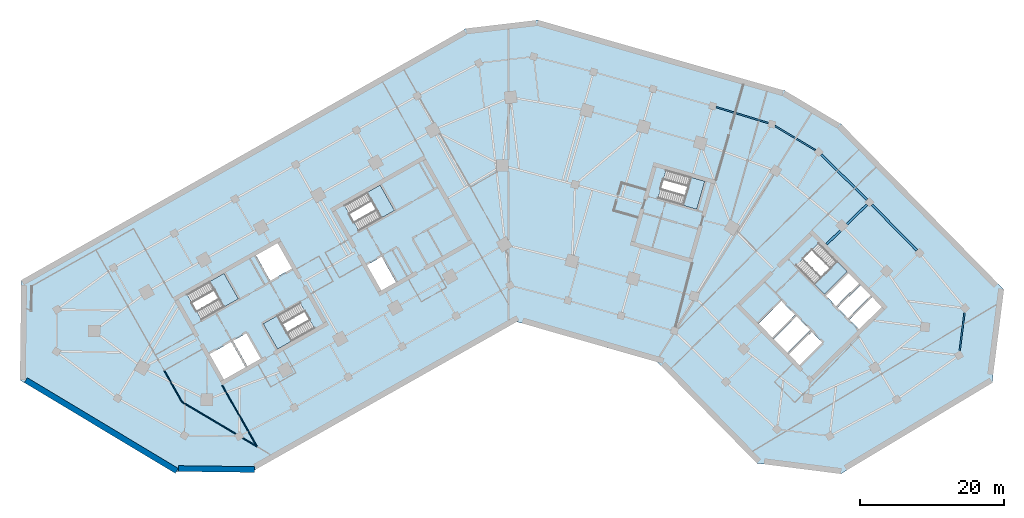
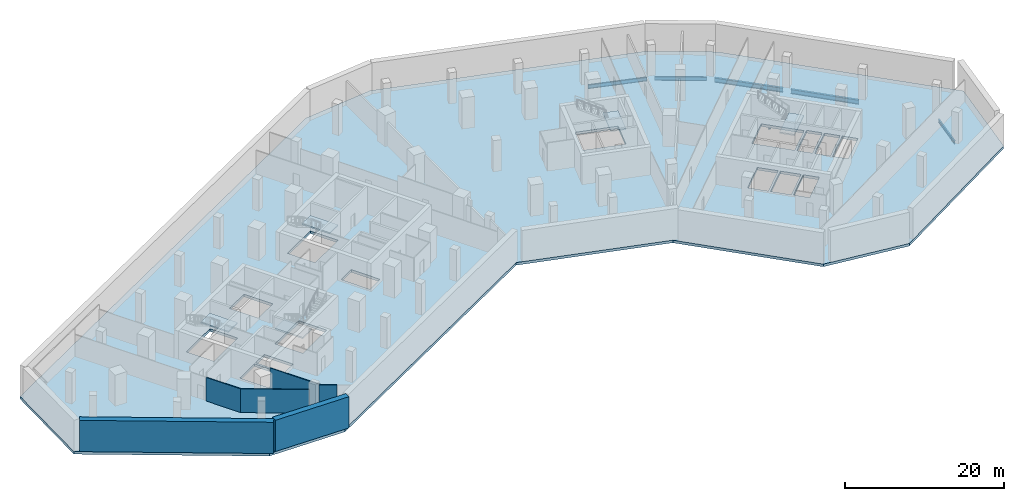
# One storey, part 4 of 13: 6 beams, 6 slabs, 6 walls, 5 elements without a shape of their own.
"""IFC4 building model written with IfcOpenShell, lengths in metres."""

from ifc_helpers import new_model, si_unit, direction, frame, frame_2d, origin, origin_2d, place, context, subcontext, project, spatial, polyline, rectangle, i_section, outline, extrude, material, layer, layer_set, material_profile, profile_set, type_object, element, aggregate, save


model = new_model("IFC4")

# Units and contexts
model_context = context("Model", 3, precision=1e-05, world=origin(), true_north=direction((0.0, 1.0)))
body_context = subcontext(model_context, "Body", "Model", "MODEL_VIEW")
ifc_project = project(units=[si_unit("LENGTHUNIT", "METRE"), si_unit("AREAUNIT", "SQUARE_METRE"), si_unit("VOLUMEUNIT", "CUBIC_METRE"), si_unit("PLANEANGLEUNIT", "RADIAN"), si_unit("MASSUNIT", "GRAM", prefix="KILO")], contexts=[model_context])

# Site, building, storey
site_placement = place(None, origin())
site = spatial("IfcSite", under=ifc_project, at=site_placement, CompositionType="ELEMENT")
building_placement = place(site_placement, origin())
building = spatial("IfcBuilding", under=site, at=building_placement, Name="Binnacle Exchange Tower", CompositionType="ELEMENT")
storey_placement = place(building_placement, frame((0.0, 0.0, -4.800048828125)))
storey = spatial("IfcBuildingStorey", under=building, at=storey_placement, Name="B1", CompositionType="ELEMENT", Elevation=-4.800048828125)

# Beams
ifc_material_1 = material(Name="Steel S355 (SHN355)", Category="steel")
ifc_material_profile_1 = material_profile(ifc_material_1, i_section(OverallWidth=0.199951171875, OverallDepth=0.5, WebThickness=0.010009765625, FlangeThickness=0.01611328125, FilletRadius=0.02001953125, at=origin_2d()), Name="H 500x200x10x16")
ifc_profile_set_1 = profile_set([ifc_material_profile_1], Name="Steel S355 (SHN355)")
beam_type_1 = type_object("IfcBeamType", Name="Edge girder H 500x200x10x16 Steel S355 (SHN355)", PredefinedType="SPANDREL", material=ifc_profile_set_1)
beam_1_placement = place(storey_placement, frame((63.271728515625, 39.56591796875, -0.64990234375), z_axis=(-0.126220609822, -0.992002196397, 0.0), x_axis=(0.992002196397, -0.126220609822, 0.0)))
element("IfcBeam", 1, at=beam_1_placement, inside=storey, type_object=beam_type_1, Name="S:BM:edge:B1:075", PredefinedType="SPANDREL", context=body_context, shape_type="SweptSolid", body=[
    extrude(i_section(OverallWidth=0.199951171875, OverallDepth=0.5, WebThickness=0.010009765625, FlangeThickness=0.01611328125, FilletRadius=0.02001953125, at=origin_2d()), origin(), (0.0, 0.0, 1.0), 5.319091796875),
])
ifc_material_profile_2 = material_profile(ifc_material_1, i_section(OverallWidth=0.199951171875, OverallDepth=0.60009765625, WebThickness=0.010986328125, FlangeThickness=0.01708984375, FilletRadius=0.02197265625, at=origin_2d()), Name="H 600x200x11x17")
ifc_profile_set_2 = profile_set([ifc_material_profile_2], Name="Steel S355 (SHN355)")
beam_type_2 = type_object("IfcBeamType", Name="Edge girder H 600x200x11x17 Steel S355 (SHN355)", PredefinedType="SPANDREL", material=ifc_profile_set_2)
beam_2_placement = place(storey_placement, frame((36.972412109375, 65.474609375, -0.699951171875), z_axis=(0.859408777726, -0.51128910879, 0.0), x_axis=(0.51128910879, 0.859408777726, 0.0)))
element("IfcBeam", 2, at=beam_2_placement, inside=storey, type_object=beam_type_2, Name="S:BM:edge:B1:063", PredefinedType="SPANDREL", context=body_context, shape_type="SweptSolid", body=[
    extrude(i_section(OverallWidth=0.199951171875, OverallDepth=0.60009765625, WebThickness=0.010986328125, FlangeThickness=0.01708984375, FilletRadius=0.02197265625, at=origin_2d()), origin(), (0.0, 0.0, 1.0), 6.546142578125),
])
ifc_material_profile_3 = material_profile(ifc_material_1, i_section(OverallWidth=0.201904296875, OverallDepth=0.612060546875, WebThickness=0.012939453125, FlangeThickness=0.02294921875, FilletRadius=0.02197265625, at=origin_2d()), Name="H 612x202x13x23")
ifc_profile_set_3 = profile_set([ifc_material_profile_3], Name="Steel S355 (SHN355)")
beam_type_3 = type_object("IfcBeamType", Name="Edge girder H 612x202x13x23 Steel S355 (SHN355)", PredefinedType="SPANDREL", material=ifc_profile_set_3)
beam_3_placement = place(storey_placement, frame((28.794189453125, 68.103515625, -0.7060546875), z_axis=(0.956298600783, -0.292391836653, 0.0), x_axis=(0.292391836653, 0.956298600783, 0.0)))
element("IfcBeam", 3, at=beam_3_placement, inside=storey, type_object=beam_type_3, Name="S:BM:edge:B1:058", PredefinedType="SPANDREL", context=body_context, shape_type="SweptSolid", body=[
    extrude(i_section(OverallWidth=0.201904296875, OverallDepth=0.612060546875, WebThickness=0.012939453125, FlangeThickness=0.02294921875, FilletRadius=0.02197265625, at=origin_2d()), origin(), (0.0, 0.0, 1.0), 7.58740234375),
])
ifc_material_profile_4 = material_profile(ifc_material_1, i_section(OverallWidth=0.300048828125, OverallDepth=0.699951171875, WebThickness=0.012939453125, FlangeThickness=0.02392578125, FilletRadius=0.028076171875, at=origin_2d()), Name="H 700x300x13x24")
ifc_profile_set_4 = profile_set([ifc_material_profile_4], Name="Steel S355 (SHN355)")
beam_type_4 = type_object("IfcBeamType", Name="Edge girder H 700x300x13x24 Steel S355 (SHN355)", PredefinedType="SPANDREL", material=ifc_profile_set_4)
beam_4_placement = place(storey_placement, frame((43.398193359375, 61.51220703125, -0.75), z_axis=(0.711633547042, -0.702550848497, 0.0), x_axis=(0.702550848497, 0.711633547042, 0.0)))
element("IfcBeam", 4, at=beam_4_placement, inside=storey, type_object=beam_type_4, Name="S:BM:edge:B1:065", PredefinedType="SPANDREL", context=body_context, shape_type="SweptSolid", body=[
    extrude(i_section(OverallWidth=0.300048828125, OverallDepth=0.699951171875, WebThickness=0.012939453125, FlangeThickness=0.02392578125, FilletRadius=0.028076171875, at=origin_2d()), origin(), (0.0, 0.0, 1.0), 8.897216796875),
])
beam_5_placement = place(storey_placement, frame((50.436279296875, 54.553466796875, -0.75), z_axis=(0.700891088092, -0.713268310408, 0.0), x_axis=(0.713268310408, 0.700891088092, 0.0)))
element("IfcBeam", 5, at=beam_5_placement, inside=storey, type_object=beam_type_4, Name="S:BM:edge:B1:068", PredefinedType="SPANDREL", context=body_context, shape_type="SweptSolid", body=[
    extrude(i_section(OverallWidth=0.300048828125, OverallDepth=0.699951171875, WebThickness=0.012939453125, FlangeThickness=0.02392578125, FilletRadius=0.028076171875, at=origin_2d()), origin(), (0.0, 0.0, 1.0), 8.89599609375),
])
ifc_material_profile_5 = material_profile(ifc_material_1, i_section(OverallWidth=0.300048828125, OverallDepth=0.699951171875, WebThickness=0.012939453125, FlangeThickness=0.02392578125, FilletRadius=0.028076171875, at=origin_2d()), Name="H 700x300x13x24")
ifc_profile_set_5 = profile_set([ifc_material_profile_5], Name="Steel S355 (SHN355)")
beam_type_5 = type_object("IfcBeamType", Name="Floor beam H 700x300x13x24 Steel S355 (SHN355)", PredefinedType="BEAM", material=ifc_profile_set_5)
beam_6_placement = place(storey_placement, frame((49.72900390625, 54.5595703125, -0.75), z_axis=(-0.713254513072, -0.700905128803, 0.0), x_axis=(0.700905128803, -0.713254513072, 0.0)))
element("IfcBeam", 6, at=beam_6_placement, inside=storey, type_object=beam_type_5, Name="S:BM:cross:B1:121", PredefinedType="BEAM", context=body_context, shape_type="SweptSolid", body=[
    extrude(i_section(OverallWidth=0.300048828125, OverallDepth=0.699951171875, WebThickness=0.012939453125, FlangeThickness=0.02392578125, FilletRadius=0.028076171875, at=origin_2d()), origin(), (0.0, 0.0, 1.0), 7.8681640625),
])

# Slab
ifc_material_2 = material(Name="Concrete C35/45", Category="concrete")
ifc_layer_1 = layer(ifc_material_2, 0.39990234375)
ifc_layer_set_1 = layer_set([ifc_layer_1], Name="Floor slab 400 Concrete C35/45")
slab_type_1 = type_object("IfcSlabType", Name="Floor slab 400 Concrete C35/45", PredefinedType="FLOOR", material=ifc_layer_set_1)
slab_1_placement = place(storey_placement, frame((0.0, 0.0, -0.39990234375)))
element("IfcSlab", 7, at=slab_1_placement, inside=storey, type_object=slab_type_1, Name="S:SL:B1:01", PredefinedType="FLOOR", context=body_context, shape_type="SweptSolid", body=[
    extrude(outline(polyline([(68.74169921875, 42.773681640625), (67.093017578125, 29.81396484375), (46.104248046875, 17.20263671875), (34.458984375, 18.68408203125), (20.677734375, 32.7080078125), (1.147216796875, 38.308349609375), (-35.783203125, 17.414306640625), (-46.6943359375, 17.55712890625), (-67.782958984375, 30.228515625), (-67.601318359375, 44.093505859375), (-5.902099609375, 79.001220703125), (4.104736328125, 80.185791015625), (38.390380859375, 70.3544921875), (46.210205078125, 65.7021484375), (68.74169921875, 42.773681640625)]), holes=[polyline([(-38.4794921875, 35.529296875), (-41.61279296875, 33.756591796875), (-39.544677734375, 30.10107421875), (-36.411376953125, 31.873779296875), (-38.4794921875, 35.529296875)]), polyline([(-34.322509765625, 33.0556640625), (-36.390625, 36.711181640625), (-38.21826171875, 35.677001953125), (-36.150146484375, 32.021484375), (-34.322509765625, 33.0556640625)]), polyline([(-34.040771484375, 38.04052734375), (-32.04638671875, 34.515625), (-26.9287109375, 37.4111328125), (-28.923095703125, 40.93603515625), (-34.040771484375, 38.04052734375)]), polyline([(-37.486572265625, 41.4912109375), (-39.480712890625, 45.01611328125), (-44.598388671875, 42.12060546875), (-42.604248046875, 38.595703125), (-37.486572265625, 41.4912109375)]), polyline([(-15.53076171875, 43.6875), (-17.598876953125, 47.343017578125), (-19.77490234375, 46.11181640625), (-17.70654296875, 42.456298828125), (-15.53076171875, 43.6875)]), polyline([(-29.914306640625, 45.775390625), (-31.982666015625, 49.430908203125), (-35.115966796875, 47.657958984375), (-33.047607421875, 44.00244140625), (-29.914306640625, 45.775390625)]), polyline([(-15.822509765625, 53.748046875), (-17.81689453125, 57.27294921875), (-22.760498046875, 54.47607421875), (-20.76611328125, 50.950927734375), (-15.822509765625, 53.748046875)]), polyline([(26.111328125, 53.9169921875), (27.227783203125, 57.810302734375), (21.864013671875, 59.348388671875), (20.74755859375, 55.455078125), (26.111328125, 53.9169921875)]), polyline([(40.268798828125, 32.201904296875), (43.549560546875, 35.426025390625), (42.07763671875, 36.923828125), (38.796875, 33.69970703125), (40.268798828125, 32.201904296875)]), polyline([(38.58642578125, 33.913818359375), (41.867431640625, 37.137939453125), (39.97509765625, 39.063720703125), (36.694091796875, 35.83935546875), (38.58642578125, 33.913818359375)]), polyline([(36.48388671875, 36.053466796875), (39.7646484375, 39.277587890625), (37.872314453125, 41.203369140625), (34.59130859375, 37.979248046875), (36.48388671875, 36.053466796875)]), polyline([(48.726806640625, 37.148681640625), (52.0078125, 40.372802734375), (50.577880859375, 41.827880859375), (47.296875, 38.603759765625), (48.726806640625, 37.148681640625)]), polyline([(47.086669921875, 38.817626953125), (50.36767578125, 42.0419921875), (48.944580078125, 43.48974609375), (45.663818359375, 40.265625), (47.086669921875, 38.817626953125)]), polyline([(45.45361328125, 40.4794921875), (48.734375, 43.703857421875), (47.3115234375, 45.151611328125), (44.030517578125, 41.927490234375), (45.45361328125, 40.4794921875)]), polyline([(43.8203125, 42.141357421875), (46.994384765625, 45.260498046875), (43.083251953125, 49.240478515625), (39.9091796875, 46.121337890625), (43.8203125, 42.141357421875)])]), origin(), (0.0, 0.0, 1.0), 0.39990234375),
])

# Stair, slab
stair_type = type_object("IfcStairType", Name="STAIR 28 RISERS 171", PredefinedType="HALF_TURN_STAIR", material=ifc_material_2)
stair_1_placement = place(storey_placement, origin())
stair_1 = element("IfcStair", 8, at=stair_1_placement, inside=storey, type_object=stair_type, Name="B1 Escape stair A1", PredefinedType="HALF_TURN_STAIR")
ifc_layer_2 = layer(ifc_material_2, 0.199951171875)
ifc_layer_set_2 = layer_set([ifc_layer_2], Name="STAIR LANDING 200")
slab_type_2 = type_object("IfcSlabType", Name="STAIR LANDING 200", PredefinedType="LANDING", material=ifc_layer_set_2)
slab_2_placement = place(storey_placement, frame((0.0, 0.0, 2.199951171875)))
slab_2 = element("IfcSlab", 9, at=slab_2_placement, type_object=slab_type_2, Name="STA1 landing 1", PredefinedType="LANDING", context=body_context, shape_type="SweptSolid", body=[
    extrude(outline(polyline([(-39.470947265625, 40.368408203125), (-37.486572265625, 41.4912109375), (-39.48095703125, 45.01611328125), (-41.46533203125, 43.893310546875), (-39.470947265625, 40.368408203125)])), origin(), (0.0, 0.0, 1.0), 0.2001953125),
])
aggregate(stair_1, [slab_2])

stair_2_placement = place(storey_placement, origin())
stair_2 = element("IfcStair", 10, at=stair_2_placement, inside=storey, type_object=stair_type, Name="B1 Escape stair A2", PredefinedType="HALF_TURN_STAIR")
slab_3_placement = place(storey_placement, frame((0.0, 0.0, 2.199951171875)))
slab_3 = element("IfcSlab", 11, at=slab_3_placement, type_object=slab_type_2, Name="STA2 landing 1", PredefinedType="LANDING", context=body_context, shape_type="SweptSolid", body=[
    extrude(outline(polyline([(-32.05615234375, 39.163330078125), (-34.040771484375, 38.04052734375), (-32.04638671875, 34.515625), (-30.06201171875, 35.638427734375), (-32.05615234375, 39.163330078125)])), origin(), (0.0, 0.0, 1.0), 0.2001953125),
])
aggregate(stair_2, [slab_3])

stair_3_placement = place(storey_placement, origin())
stair_3 = element("IfcStair", 12, at=stair_3_placement, inside=storey, type_object=stair_type, Name="B1 Escape stair B1", PredefinedType="HALF_TURN_STAIR")
slab_4_placement = place(storey_placement, frame((0.0, 0.0, 2.199951171875)))
slab_4 = element("IfcSlab", 13, at=slab_4_placement, type_object=slab_type_2, Name="STB1 landing 1", PredefinedType="LANDING", context=body_context, shape_type="SweptSolid", body=[
    extrude(outline(polyline([(42.4326171875, 43.5537109375), (43.8203125, 42.141357421875), (46.994384765625, 45.260498046875), (45.606689453125, 46.672607421875), (42.4326171875, 43.5537109375)])), origin(), (0.0, 0.0, 1.0), 0.2001953125),
])
aggregate(stair_3, [slab_4])

stair_4_placement = place(storey_placement, origin())
stair_4 = element("IfcStair", 14, at=stair_4_placement, inside=storey, type_object=stair_type, Name="B1 Escape stair C1", PredefinedType="HALF_TURN_STAIR")
slab_5_placement = place(storey_placement, frame((0.0, 0.0, 2.199951171875)))
slab_5 = element("IfcSlab", 15, at=slab_5_placement, type_object=slab_type_2, Name="STC1 landing 1", PredefinedType="LANDING", context=body_context, shape_type="SweptSolid", body=[
    extrude(outline(polyline([(-17.6328125, 52.7236328125), (-15.822509765625, 53.748046875), (-17.81689453125, 57.27294921875), (-19.627197265625, 56.248779296875), (-17.6328125, 52.7236328125)])), origin(), (0.0, 0.0, 1.0), 0.2001953125),
])
aggregate(stair_4, [slab_5])

stair_5_placement = place(storey_placement, origin())
stair_5 = element("IfcStair", 16, at=stair_5_placement, inside=storey, type_object=stair_type, Name="B1 Escape stair D1", PredefinedType="HALF_TURN_STAIR")
slab_6_placement = place(storey_placement, frame((0.0, 0.0, 2.199951171875)))
slab_6 = element("IfcSlab", 17, at=slab_6_placement, type_object=slab_type_2, Name="STD1 landing 1", PredefinedType="LANDING", context=body_context, shape_type="SweptSolid", body=[
    extrude(outline(polyline([(24.2080078125, 54.462890625), (26.111328125, 53.917236328125), (27.227783203125, 57.810302734375), (25.324462890625, 58.35595703125), (24.2080078125, 54.462890625)])), origin(), (0.0, 0.0, 1.0), 0.2001953125),
])
aggregate(stair_5, [slab_6])

# Walls
ifc_material_3 = material(Name="Concrete C40/50", Category="concrete")
ifc_layer_3 = layer(ifc_material_3, 0.800048828125)
ifc_layer_set_3 = layer_set([ifc_layer_3], Name="Basement retaining wall 800 Concrete C40/50")
wall_type_1 = type_object("IfcWallType", Name="Basement retaining wall 800 Concrete C40/50", PredefinedType="SOLIDWALL", material=ifc_layer_set_3)
wall_1_placement = place(storey_placement, frame((-66.97265625, 30.208251953125, 0.0), z_axis=(0.0, 0.0, 1.0), x_axis=(0.85716750858, -0.515037728943, 0.0)))
element("IfcWall", 18, at=wall_1_placement, inside=storey, type_object=wall_type_1, Name="S:RW:B1:06", PredefinedType="SOLIDWALL", context=body_context, shape_type="SweptSolid", body=[
    extrude(rectangle(XDim=24.439697265625, YDim=0.800048828125, at=frame_2d((12.2197265625, 0.0))), origin(), (0.0, 0.0, 1.0), 4.800048828125),
])
wall_2_placement = place(storey_placement, frame((-45.805908203125, 17.945556640625, 0.0), z_axis=(0.0, 0.0, 1.0), x_axis=(0.999914251835, -0.013095379979, 0.0)))
element("IfcWall", 19, at=wall_2_placement, inside=storey, type_object=wall_type_1, Name="S:RW:B1:07", PredefinedType="SOLIDWALL", context=body_context, shape_type="SweptSolid", body=[
    extrude(rectangle(XDim=10.57080078125, YDim=0.800048828125, at=frame_2d((5.285400390625, 0.0))), origin(), (0.0, 0.0, 1.0), 4.800048828125),
])
ifc_material_4 = material(Name="Gypsum partition")
ifc_layer_4 = layer(ifc_material_4, 0.125)
ifc_layer_set_4 = layer_set([ifc_layer_4], Name="Partition 125")
wall_type_2 = type_object("IfcWallType", Name="Partition 125", PredefinedType="PARTITIONING", material=ifc_layer_set_4)
wall_3_placement = place(storey_placement, frame((-47.76806640625, 31.5380859375, 0.0), z_axis=(0.0, 0.0, 1.0), x_axis=(0.492406341242, -0.870365437678, 0.0)))
element("IfcWall", 20, at=wall_3_placement, inside=storey, type_object=wall_type_2, Name="Partition W09", PredefinedType="PARTITIONING", context=body_context, shape_type="SweptSolid", body=[
    extrude(rectangle(XDim=5.000244140625, YDim=0.125, at=frame_2d((2.5, 0.0))), origin(), (0.0, 0.0, 1.0), 3.630126953125),
])
wall_4_placement = place(storey_placement, frame((-45.305908203125, 27.18603515625, 0.0), z_axis=(0.0, 0.0, 1.0), x_axis=(0.859364033829, -0.511364309824, 0.0)))
element("IfcWall", 21, at=wall_4_placement, inside=storey, type_object=wall_type_2, Name="Partition W11", PredefinedType="PARTITIONING", context=body_context, shape_type="SweptSolid", body=[
    extrude(rectangle(XDim=8.688720703125, YDim=0.125, at=frame_2d((4.34423828125, 0.0))), origin(), (0.0, 0.0, 1.0), 3.630126953125),
])
wall_5_placement = place(storey_placement, frame((-39.715087890625, 29.488037109375, 0.0), z_axis=(0.0, 0.0, 1.0), x_axis=(0.492486226821, -0.870320237839, 0.0)))
element("IfcWall", 22, at=wall_5_placement, inside=storey, type_object=wall_type_2, Name="Partition W12", PredefinedType="PARTITIONING", context=body_context, shape_type="SweptSolid", body=[
    extrude(rectangle(XDim=9.75048828125, YDim=0.125, at=frame_2d((4.875244140625, 0.0))), origin(), (0.0, 0.0, 1.0), 3.52197265625),
])
wall_6_placement = place(storey_placement, frame((-36.84912109375, 22.154052734375, 0.0), z_axis=(0.0, 0.0, 1.0), x_axis=(0.859351847871, -0.511384788159, 0.0)))
element("IfcWall", 23, at=wall_6_placement, inside=storey, type_object=wall_type_2, Name="Partition W13", PredefinedType="PARTITIONING", context=body_context, shape_type="SweptSolid", body=[
    extrude(rectangle(XDim=2.2529296875, YDim=0.125, at=frame_2d((1.12646484375, 0.0))), origin(), (0.0, 0.0, 1.0), 4.35009765625),
])

save(model, "model.ifc")
